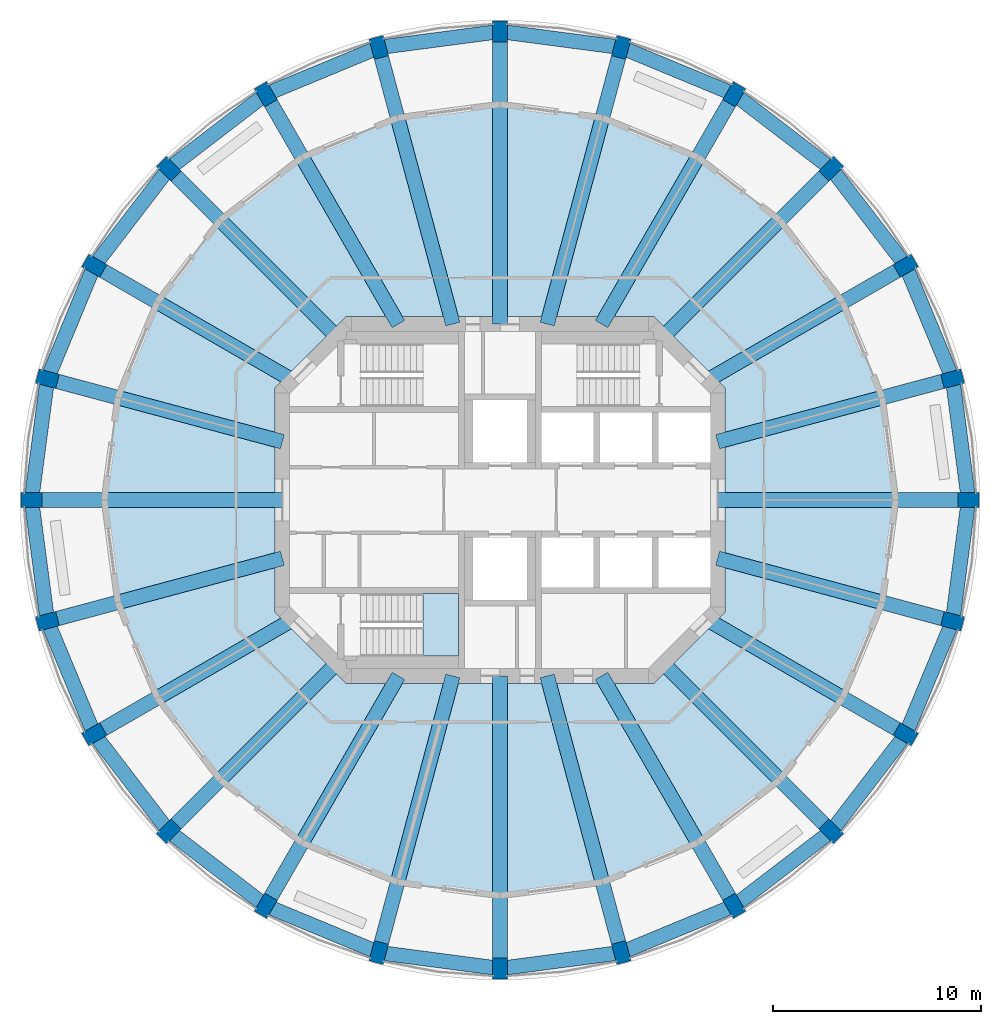
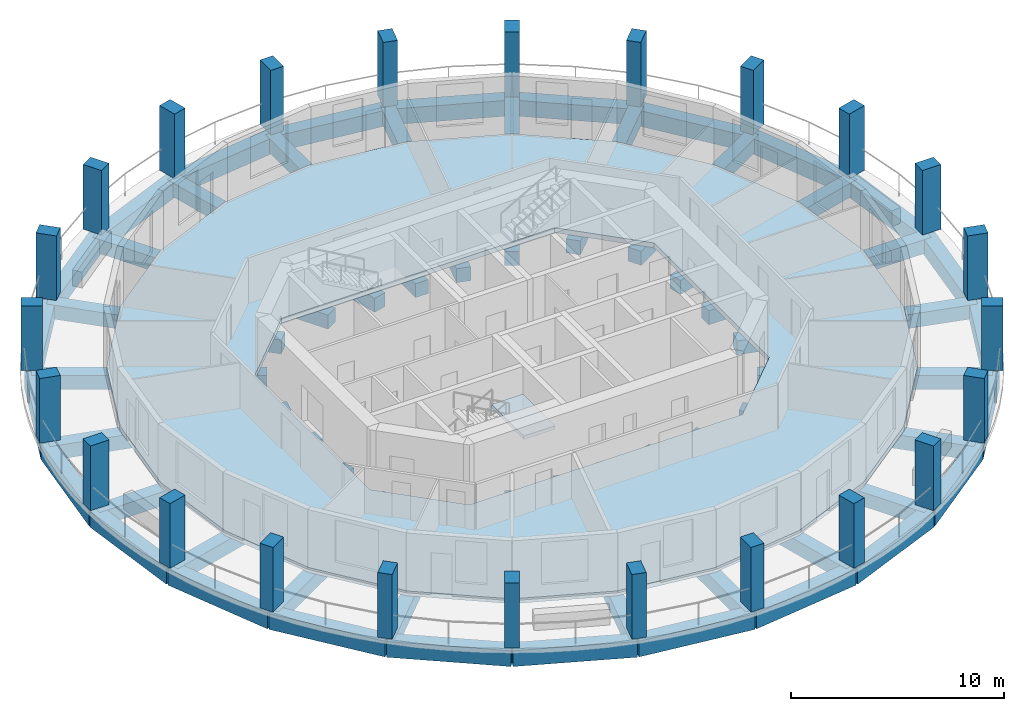
# One storey, part 1 of 9: 48 beams, 24 columns, 2 slabs, 1 element without a shape of its own.
"""IFC4 building model written with IfcOpenShell, lengths in metres."""

from ifc_helpers import new_model, si_unit, direction, frame, origin, origin_2d, place, context, subcontext, project, spatial, polyline, rectangle, outline, extrude, material, layer, layer_set, material_profile, profile_set, type_object, element, aggregate, save


model = new_model("IFC4")

# Units and contexts
model_context = context("Model", 3, precision=1e-05, world=origin(), true_north=direction((0.0, 1.0)))
body_context = subcontext(model_context, "Body", "Model", "MODEL_VIEW")
ifc_project = project(units=[si_unit("LENGTHUNIT", "METRE"), si_unit("AREAUNIT", "SQUARE_METRE"), si_unit("VOLUMEUNIT", "CUBIC_METRE"), si_unit("PLANEANGLEUNIT", "RADIAN"), si_unit("MASSUNIT", "GRAM", prefix="KILO")], contexts=[model_context])

# Site, building, storey
site_placement = place(None, origin())
site = spatial("IfcSite", under=ifc_project, at=site_placement, CompositionType="ELEMENT")
building_placement = place(site_placement, origin())
building = spatial("IfcBuilding", under=site, at=building_placement, Name="Torre Triforio", CompositionType="ELEMENT")
storey_placement = place(building_placement, frame((0.0, 0.0, 157.89990234375)))
storey = spatial("IfcBuildingStorey", under=building, at=storey_placement, Name="L35", CompositionType="ELEMENT", Elevation=157.89990234375)

# Columns
ifc_material_1 = material(Name="Concrete C50", Category="concrete")
ifc_material_profile_1 = material_profile(ifc_material_1, rectangle(XDim=0.699951171875, YDim=1.0, at=origin_2d()), Name="RC 700x1000")
ifc_profile_set_1 = profile_set([ifc_material_profile_1], Name="Concrete C50")
column_type = type_object("IfcColumnType", Name="Pier RC 700x1000 C50", PredefinedType="COLUMN", material=ifc_profile_set_1)
for number, where, z_axis, x_axis, name in (
    (1, (22.5, 0.0, 0.0), (0.0, 0.0, 1.0), (0.0, 1.0, 0.0), "COL.R.L35.00"),
    (2, (21.7333984375, 5.823486328125, 0.0), (0.0, 0.0, 1.0), (-0.258819045103, 0.965925826289, 0.0), "COL.R.L35.01"),
    (3, (19.485595703125, 11.25, 0.0), (0.0, 0.0, 1.0), (-0.5, 0.866025403784, 0.0), "COL.R.L35.02"),
    (4, (15.909912109375, 15.909912109375, 0.0), (0.0, 0.0, 1.0), (-0.707106781187, 0.707106781187, 0.0), "COL.R.L35.03"),
    (5, (11.25, 19.485595703125, 0.0), (0.0, 0.0, 1.0), (-0.866025403784, 0.5, 0.0), "COL.R.L35.04"),
    (6, (5.823486328125, 21.7333984375, 0.0), (0.0, 0.0, 1.0), (-0.965925826289, 0.258819045103, 0.0), "COL.R.L35.05"),
    (7, (0.0, 22.5, 0.0), (0.0, 0.0, 1.0), (-1.0, 0.0, 0.0), "COL.R.L35.06"),
    (8, (-5.823486328125, 21.7333984375, 0.0), (0.0, 0.0, 1.0), (-0.965925826289, -0.258819045103, 0.0), "COL.R.L35.07"),
    (9, (-11.25, 19.485595703125, 0.0), (0.0, 0.0, 1.0), (-0.866025403784, -0.5, 0.0), "COL.R.L35.08"),
    (10, (-15.909912109375, 15.909912109375, 0.0), (0.0, 0.0, 1.0), (-0.707106781187, -0.707106781187, 0.0), "COL.R.L35.09"),
    (11, (-19.485595703125, 11.25, 0.0), (0.0, 0.0, 1.0), (-0.5, -0.866025403784, 0.0), "COL.R.L35.10"),
    (12, (-21.7333984375, 5.823486328125, 0.0), (0.0, 0.0, 1.0), (-0.258819045103, -0.965925826289, 0.0), "COL.R.L35.11"),
    (13, (-22.5, 0.0, 0.0), (0.0, 0.0, 1.0), (0.0, -1.0, 0.0), "COL.R.L35.12"),
    (14, (-21.7333984375, -5.823486328125, 0.0), (0.0, 0.0, 1.0), (0.258819045103, -0.965925826289, 0.0), "COL.R.L35.13"),
    (15, (-19.485595703125, -11.25, 0.0), (0.0, 0.0, 1.0), (0.5, -0.866025403784, 0.0), "COL.R.L35.14"),
    (16, (-15.909912109375, -15.909912109375, 0.0), (0.0, 0.0, 1.0), (0.707106781187, -0.707106781187, 0.0), "COL.R.L35.15"),
    (17, (-11.25, -19.485595703125, 0.0), (0.0, 0.0, 1.0), (0.866025403784, -0.5, 0.0), "COL.R.L35.16"),
    (18, (-5.823486328125, -21.7333984375, 0.0), (0.0, 0.0, 1.0), (0.965925826289, -0.258819045103, 0.0), "COL.R.L35.17"),
    (19, (0.0, -22.5, 0.0), (0.0, 0.0, 1.0), (1.0, 0.0, 0.0), "COL.R.L35.18"),
    (20, (5.823486328125, -21.7333984375, 0.0), (0.0, 0.0, 1.0), (0.965925826289, 0.258819045103, 0.0), "COL.R.L35.19"),
    (21, (11.25, -19.485595703125, 0.0), (0.0, 0.0, 1.0), (0.866025403784, 0.5, 0.0), "COL.R.L35.20"),
    (22, (15.909912109375, -15.909912109375, 0.0), (0.0, 0.0, 1.0), (0.707106781187, 0.707106781187, 0.0), "COL.R.L35.21"),
    (23, (19.485595703125, -11.25, 0.0), (0.0, 0.0, 1.0), (0.5, 0.866025403784, 0.0), "COL.R.L35.22"),
    (24, (21.7333984375, -5.823486328125, 0.0), (0.0, 0.0, 1.0), (0.258819045103, 0.965925826289, 0.0), "COL.R.L35.23"),
):
    element("IfcColumn", number, at=place(storey_placement, frame(where, z_axis=z_axis, x_axis=x_axis)), inside=storey, type_object=column_type, Name=name, PredefinedType="COLUMN", context=body_context, shape_type="SweptSolid", body=[
        extrude(rectangle(XDim=0.699951171875, YDim=1.0, at=origin_2d()), origin(), (0.0, 0.0, 1.0), 3.7001953125),
    ])

# Beams
ifc_material_2 = material(Name="Concrete C40", Category="concrete")
ifc_material_profile_2 = material_profile(ifc_material_2, rectangle(XDim=0.699951171875, YDim=0.800048828125, at=origin_2d()), Name="RC 700x800")
ifc_profile_set_2 = profile_set([ifc_material_profile_2], Name="Concrete C40")
beam_type_1 = type_object("IfcBeamType", Name="Radial beam RC 700x800 C40", PredefinedType="BEAM", material=ifc_profile_set_2)
beam_1_placement = place(storey_placement, frame((10.449951171875, 0.0, -0.679931640625), z_axis=(1.0, 0.0, 0.0), x_axis=(0.0, 1.0, 0.0)))
element("IfcBeam", 25, at=beam_1_placement, inside=storey, type_object=beam_type_1, Name="BM.R.L35.00", PredefinedType="BEAM", context=body_context, shape_type="SweptSolid", body=[
    extrude(rectangle(XDim=0.699951171875, YDim=0.800048828125, at=origin_2d()), origin(), (0.0, 0.0, 1.0), 12.050048828125),
])
beam_2_placement = place(storey_placement, frame((10.449951171875, 2.800048828125, -0.679931640625), z_axis=(0.965924822187, 0.258822792435, 0.0), x_axis=(-0.258822792435, 0.965924822187, 0.0)))
element("IfcBeam", 26, at=beam_2_placement, inside=storey, type_object=beam_type_1, Name="BM.R.L35.01", PredefinedType="BEAM", context=body_context, shape_type="SweptSolid", body=[
    extrude(rectangle(XDim=0.699951171875, YDim=0.800048828125, at=origin_2d()), origin(), (0.0, 0.0, 1.0), 11.681396484375),
])
beam_3_placement = place(storey_placement, frame((9.9501953125, 5.744873046875, -0.679931640625), z_axis=(0.866030871389, 0.499990529712, 0.0), x_axis=(-0.499990529712, 0.866030871389, 0.0)))
element("IfcBeam", 27, at=beam_3_placement, inside=storey, type_object=beam_type_1, Name="BM.R.L35.02", PredefinedType="BEAM", context=body_context, shape_type="SweptSolid", body=[
    extrude(rectangle(XDim=0.699951171875, YDim=0.800048828125, at=origin_2d()), origin(), (0.0, 0.0, 1.0), 11.010498046875),
])
beam_4_placement = place(storey_placement, frame((7.847412109375, 7.847412109375, -0.679931640625), z_axis=(0.707106781187, 0.707106781187, 0.0), x_axis=(-0.707106781187, 0.707106781187, 0.0)))
element("IfcBeam", 28, at=beam_4_placement, inside=storey, type_object=beam_type_1, Name="BM.R.L35.03", PredefinedType="BEAM", context=body_context, shape_type="SweptSolid", body=[
    extrude(rectangle(XDim=0.699951171875, YDim=0.800048828125, at=origin_2d()), origin(), (0.0, 0.0, 1.0), 11.402099609375),
])
beam_5_placement = place(storey_placement, frame((4.878662109375, 8.449951171875, -0.679931640625), z_axis=(0.499994440966, 0.866028613271, 0.0), x_axis=(-0.866028613271, 0.499994440966, 0.0)))
element("IfcBeam", 29, at=beam_5_placement, inside=storey, type_object=beam_type_1, Name="BM.R.L35.04", PredefinedType="BEAM", context=body_context, shape_type="SweptSolid", body=[
    extrude(rectangle(XDim=0.699951171875, YDim=0.800048828125, at=origin_2d()), origin(), (0.0, 0.0, 1.0), 12.742919921875),
])
beam_6_placement = place(storey_placement, frame((2.26416015625, 8.449951171875, -0.679931640625), z_axis=(0.258821569245, 0.965925149944, 0.0), x_axis=(-0.965925149944, 0.258821569245, 0.0)))
element("IfcBeam", 30, at=beam_6_placement, inside=storey, type_object=beam_type_1, Name="BM.R.L35.05", PredefinedType="BEAM", context=body_context, shape_type="SweptSolid", body=[
    extrude(rectangle(XDim=0.699951171875, YDim=0.800048828125, at=origin_2d()), origin(), (0.0, 0.0, 1.0), 13.751953125),
])
beam_7_placement = place(storey_placement, frame((0.0, 8.449951171875, -0.679931640625), z_axis=(0.0, 1.0, 0.0), x_axis=(-1.0, 0.0, 0.0)))
element("IfcBeam", 31, at=beam_7_placement, inside=storey, type_object=beam_type_1, Name="BM.R.L35.06", PredefinedType="BEAM", context=body_context, shape_type="SweptSolid", body=[
    extrude(rectangle(XDim=0.699951171875, YDim=0.800048828125, at=origin_2d()), origin(), (0.0, 0.0, 1.0), 14.050048828125),
])
beam_8_placement = place(storey_placement, frame((-2.26416015625, 8.449951171875, -0.679931640625), z_axis=(-0.258821569245, 0.965925149944, 0.0), x_axis=(-0.965925149944, -0.258821569245, 0.0)))
element("IfcBeam", 32, at=beam_8_placement, inside=storey, type_object=beam_type_1, Name="BM.R.L35.07", PredefinedType="BEAM", context=body_context, shape_type="SweptSolid", body=[
    extrude(rectangle(XDim=0.699951171875, YDim=0.800048828125, at=origin_2d()), origin(), (0.0, 0.0, 1.0), 13.751953125),
])
beam_9_placement = place(storey_placement, frame((-4.878662109375, 8.449951171875, -0.679931640625), z_axis=(-0.499994440966, 0.866028613271, 0.0), x_axis=(-0.866028613271, -0.499994440966, 0.0)))
element("IfcBeam", 33, at=beam_9_placement, inside=storey, type_object=beam_type_1, Name="BM.R.L35.08", PredefinedType="BEAM", context=body_context, shape_type="SweptSolid", body=[
    extrude(rectangle(XDim=0.699951171875, YDim=0.800048828125, at=origin_2d()), origin(), (0.0, 0.0, 1.0), 12.742919921875),
])
beam_10_placement = place(storey_placement, frame((-7.847412109375, 7.847412109375, -0.679931640625), z_axis=(-0.707106781187, 0.707106781187, 0.0), x_axis=(-0.707106781187, -0.707106781187, 0.0)))
element("IfcBeam", 34, at=beam_10_placement, inside=storey, type_object=beam_type_1, Name="BM.R.L35.09", PredefinedType="BEAM", context=body_context, shape_type="SweptSolid", body=[
    extrude(rectangle(XDim=0.699951171875, YDim=0.800048828125, at=origin_2d()), origin(), (0.0, 0.0, 1.0), 11.402099609375),
])
beam_11_placement = place(storey_placement, frame((-9.9501953125, 5.744873046875, -0.679931640625), z_axis=(-0.866030871389, 0.499990529712, 0.0), x_axis=(-0.499990529712, -0.866030871389, 0.0)))
element("IfcBeam", 35, at=beam_11_placement, inside=storey, type_object=beam_type_1, Name="BM.R.L35.10", PredefinedType="BEAM", context=body_context, shape_type="SweptSolid", body=[
    extrude(rectangle(XDim=0.699951171875, YDim=0.800048828125, at=origin_2d()), origin(), (0.0, 0.0, 1.0), 11.010498046875),
])
beam_12_placement = place(storey_placement, frame((-10.449951171875, 2.800048828125, -0.679931640625), z_axis=(-0.965924822187, 0.258822792435, 0.0), x_axis=(-0.258822792435, -0.965924822187, 0.0)))
element("IfcBeam", 36, at=beam_12_placement, inside=storey, type_object=beam_type_1, Name="BM.R.L35.11", PredefinedType="BEAM", context=body_context, shape_type="SweptSolid", body=[
    extrude(rectangle(XDim=0.699951171875, YDim=0.800048828125, at=origin_2d()), origin(), (0.0, 0.0, 1.0), 11.681396484375),
])
beam_13_placement = place(storey_placement, frame((-10.449951171875, 0.0, -0.679931640625), z_axis=(-1.0, 0.0, 0.0), x_axis=(0.0, -1.0, 0.0)))
element("IfcBeam", 37, at=beam_13_placement, inside=storey, type_object=beam_type_1, Name="BM.R.L35.12", PredefinedType="BEAM", context=body_context, shape_type="SweptSolid", body=[
    extrude(rectangle(XDim=0.699951171875, YDim=0.800048828125, at=origin_2d()), origin(), (0.0, 0.0, 1.0), 12.050048828125),
])
beam_14_placement = place(storey_placement, frame((-10.449951171875, -2.800048828125, -0.679931640625), z_axis=(-0.965924822187, -0.258822792435, 0.0), x_axis=(0.258822792435, -0.965924822187, 0.0)))
element("IfcBeam", 38, at=beam_14_placement, inside=storey, type_object=beam_type_1, Name="BM.R.L35.13", PredefinedType="BEAM", context=body_context, shape_type="SweptSolid", body=[
    extrude(rectangle(XDim=0.699951171875, YDim=0.800048828125, at=origin_2d()), origin(), (0.0, 0.0, 1.0), 11.681396484375),
])
beam_15_placement = place(storey_placement, frame((-9.9501953125, -5.744873046875, -0.679931640625), z_axis=(-0.866030871389, -0.499990529712, 0.0), x_axis=(0.499990529712, -0.866030871389, 0.0)))
element("IfcBeam", 39, at=beam_15_placement, inside=storey, type_object=beam_type_1, Name="BM.R.L35.14", PredefinedType="BEAM", context=body_context, shape_type="SweptSolid", body=[
    extrude(rectangle(XDim=0.699951171875, YDim=0.800048828125, at=origin_2d()), origin(), (0.0, 0.0, 1.0), 11.010498046875),
])
beam_16_placement = place(storey_placement, frame((-7.847412109375, -7.847412109375, -0.679931640625), z_axis=(-0.707106781187, -0.707106781187, 0.0), x_axis=(0.707106781187, -0.707106781187, 0.0)))
element("IfcBeam", 40, at=beam_16_placement, inside=storey, type_object=beam_type_1, Name="BM.R.L35.15", PredefinedType="BEAM", context=body_context, shape_type="SweptSolid", body=[
    extrude(rectangle(XDim=0.699951171875, YDim=0.800048828125, at=origin_2d()), origin(), (0.0, 0.0, 1.0), 11.402099609375),
])
beam_17_placement = place(storey_placement, frame((-4.878662109375, -8.449951171875, -0.679931640625), z_axis=(-0.499994440966, -0.866028613271, 0.0), x_axis=(0.866028613271, -0.499994440966, 0.0)))
element("IfcBeam", 41, at=beam_17_placement, inside=storey, type_object=beam_type_1, Name="BM.R.L35.16", PredefinedType="BEAM", context=body_context, shape_type="SweptSolid", body=[
    extrude(rectangle(XDim=0.699951171875, YDim=0.800048828125, at=origin_2d()), origin(), (0.0, 0.0, 1.0), 12.742919921875),
])
beam_18_placement = place(storey_placement, frame((-2.26416015625, -8.449951171875, -0.679931640625), z_axis=(-0.258821569245, -0.965925149944, 0.0), x_axis=(0.965925149944, -0.258821569245, 0.0)))
element("IfcBeam", 42, at=beam_18_placement, inside=storey, type_object=beam_type_1, Name="BM.R.L35.17", PredefinedType="BEAM", context=body_context, shape_type="SweptSolid", body=[
    extrude(rectangle(XDim=0.699951171875, YDim=0.800048828125, at=origin_2d()), origin(), (0.0, 0.0, 1.0), 13.751953125),
])
beam_19_placement = place(storey_placement, frame((0.0, -8.449951171875, -0.679931640625), z_axis=(0.0, -1.0, 0.0), x_axis=(1.0, 0.0, 0.0)))
element("IfcBeam", 43, at=beam_19_placement, inside=storey, type_object=beam_type_1, Name="BM.R.L35.18", PredefinedType="BEAM", context=body_context, shape_type="SweptSolid", body=[
    extrude(rectangle(XDim=0.699951171875, YDim=0.800048828125, at=origin_2d()), origin(), (0.0, 0.0, 1.0), 14.050048828125),
])
beam_20_placement = place(storey_placement, frame((2.26416015625, -8.449951171875, -0.679931640625), z_axis=(0.258821569245, -0.965925149944, 0.0), x_axis=(0.965925149944, 0.258821569245, 0.0)))
element("IfcBeam", 44, at=beam_20_placement, inside=storey, type_object=beam_type_1, Name="BM.R.L35.19", PredefinedType="BEAM", context=body_context, shape_type="SweptSolid", body=[
    extrude(rectangle(XDim=0.699951171875, YDim=0.800048828125, at=origin_2d()), origin(), (0.0, 0.0, 1.0), 13.751953125),
])
beam_21_placement = place(storey_placement, frame((4.878662109375, -8.449951171875, -0.679931640625), z_axis=(0.499994440966, -0.866028613271, 0.0), x_axis=(0.866028613271, 0.499994440966, 0.0)))
element("IfcBeam", 45, at=beam_21_placement, inside=storey, type_object=beam_type_1, Name="BM.R.L35.20", PredefinedType="BEAM", context=body_context, shape_type="SweptSolid", body=[
    extrude(rectangle(XDim=0.699951171875, YDim=0.800048828125, at=origin_2d()), origin(), (0.0, 0.0, 1.0), 12.742919921875),
])
beam_22_placement = place(storey_placement, frame((7.847412109375, -7.847412109375, -0.679931640625), z_axis=(0.707106781187, -0.707106781187, 0.0), x_axis=(0.707106781187, 0.707106781187, 0.0)))
element("IfcBeam", 46, at=beam_22_placement, inside=storey, type_object=beam_type_1, Name="BM.R.L35.21", PredefinedType="BEAM", context=body_context, shape_type="SweptSolid", body=[
    extrude(rectangle(XDim=0.699951171875, YDim=0.800048828125, at=origin_2d()), origin(), (0.0, 0.0, 1.0), 11.402099609375),
])
beam_23_placement = place(storey_placement, frame((9.9501953125, -5.744873046875, -0.679931640625), z_axis=(0.866030871389, -0.499990529712, 0.0), x_axis=(0.499990529712, 0.866030871389, 0.0)))
element("IfcBeam", 47, at=beam_23_placement, inside=storey, type_object=beam_type_1, Name="BM.R.L35.22", PredefinedType="BEAM", context=body_context, shape_type="SweptSolid", body=[
    extrude(rectangle(XDim=0.699951171875, YDim=0.800048828125, at=origin_2d()), origin(), (0.0, 0.0, 1.0), 11.010498046875),
])
beam_24_placement = place(storey_placement, frame((10.449951171875, -2.800048828125, -0.679931640625), z_axis=(0.965924822187, -0.258822792435, 0.0), x_axis=(0.258822792435, 0.965924822187, 0.0)))
element("IfcBeam", 48, at=beam_24_placement, inside=storey, type_object=beam_type_1, Name="BM.R.L35.23", PredefinedType="BEAM", context=body_context, shape_type="SweptSolid", body=[
    extrude(rectangle(XDim=0.699951171875, YDim=0.800048828125, at=origin_2d()), origin(), (0.0, 0.0, 1.0), 11.681396484375),
])
ifc_material_profile_3 = material_profile(ifc_material_2, rectangle(XDim=0.699951171875, YDim=0.89990234375, at=origin_2d()), Name="RC 700x900")
ifc_profile_set_3 = profile_set([ifc_material_profile_3], Name="Concrete C40")
beam_type_2 = type_object("IfcBeamType", Name="Spandrel beam RC 700x900 C40", PredefinedType="SPANDREL", material=ifc_profile_set_3)
beam_25_placement = place(storey_placement, frame((22.5, 0.0, -0.72998046875), z_axis=(-0.13051364818, 0.991446512747, 0.0), x_axis=(-0.991446512747, -0.13051364818, 0.0)))
element("IfcBeam", 49, at=beam_25_placement, inside=storey, type_object=beam_type_2, Name="BM.S.L35.00", PredefinedType="SPANDREL", context=body_context, shape_type="SweptSolid", body=[
    extrude(rectangle(XDim=0.699951171875, YDim=0.89990234375, at=origin_2d()), origin(), (0.0, 0.0, 1.0), 5.873779296875),
])
beam_26_placement = place(storey_placement, frame((21.7333984375, 5.823486328125, -0.72998046875), z_axis=(-0.382693194178, 0.923875488976, 0.0), x_axis=(-0.923875488976, -0.382693194178, 0.0)))
element("IfcBeam", 50, at=beam_26_placement, inside=storey, type_object=beam_type_2, Name="BM.S.L35.01", PredefinedType="SPANDREL", context=body_context, shape_type="SweptSolid", body=[
    extrude(rectangle(XDim=0.699951171875, YDim=0.89990234375, at=origin_2d()), origin(), (0.0, 0.0, 1.0), 5.87353515625),
])
for number, where, z_axis, x_axis, name in (
    (51, (19.485595703125, 11.25, -0.72998046875), (-0.608762208108, 0.793352742466, 0.0), (-0.793352742466, -0.608762208108, 0.0), "BM.S.L35.02"),
    (52, (15.909912109375, 15.909912109375, -0.72998046875), (-0.793352742466, 0.608762208108, 0.0), (-0.608762208108, -0.793352742466, 0.0), "BM.S.L35.03"),
):
    element("IfcBeam", number, at=place(storey_placement, frame(where, z_axis=z_axis, x_axis=x_axis)), inside=storey, type_object=beam_type_2, Name=name, PredefinedType="SPANDREL", context=body_context, shape_type="SweptSolid", body=[
        extrude(rectangle(XDim=0.699951171875, YDim=0.89990234375, at=origin_2d()), origin(), (0.0, 0.0, 1.0), 5.873779296875),
    ])
beam_27_placement = place(storey_placement, frame((11.25, 19.485595703125, -0.72998046875), z_axis=(-0.923875488976, 0.382693194178, 0.0), x_axis=(-0.382693194178, -0.923875488976, 0.0)))
element("IfcBeam", 53, at=beam_27_placement, inside=storey, type_object=beam_type_2, Name="BM.S.L35.04", PredefinedType="SPANDREL", context=body_context, shape_type="SweptSolid", body=[
    extrude(rectangle(XDim=0.699951171875, YDim=0.89990234375, at=origin_2d()), origin(), (0.0, 0.0, 1.0), 5.87353515625),
])
for number, where, z_axis, x_axis, name in (
    (54, (5.823486328125, 21.7333984375, -0.72998046875), (-0.991446512747, 0.13051364818, 0.0), (-0.13051364818, -0.991446512747, 0.0), "BM.S.L35.05"),
    (55, (0.0, 22.5, -0.72998046875), (-0.991446512747, -0.13051364818, 0.0), (0.13051364818, -0.991446512747, 0.0), "BM.S.L35.06"),
):
    element("IfcBeam", number, at=place(storey_placement, frame(where, z_axis=z_axis, x_axis=x_axis)), inside=storey, type_object=beam_type_2, Name=name, PredefinedType="SPANDREL", context=body_context, shape_type="SweptSolid", body=[
        extrude(rectangle(XDim=0.699951171875, YDim=0.89990234375, at=origin_2d()), origin(), (0.0, 0.0, 1.0), 5.873779296875),
    ])
beam_28_placement = place(storey_placement, frame((-5.823486328125, 21.7333984375, -0.72998046875), z_axis=(-0.923875488976, -0.382693194178, 0.0), x_axis=(0.382693194178, -0.923875488976, 0.0)))
element("IfcBeam", 56, at=beam_28_placement, inside=storey, type_object=beam_type_2, Name="BM.S.L35.07", PredefinedType="SPANDREL", context=body_context, shape_type="SweptSolid", body=[
    extrude(rectangle(XDim=0.699951171875, YDim=0.89990234375, at=origin_2d()), origin(), (0.0, 0.0, 1.0), 5.87353515625),
])
for number, where, z_axis, x_axis, name in (
    (57, (-11.25, 19.485595703125, -0.72998046875), (-0.793352742466, -0.608762208108, 0.0), (0.608762208108, -0.793352742466, 0.0), "BM.S.L35.08"),
    (58, (-15.909912109375, 15.909912109375, -0.72998046875), (-0.608762208108, -0.793352742466, 0.0), (0.793352742466, -0.608762208108, 0.0), "BM.S.L35.09"),
):
    element("IfcBeam", number, at=place(storey_placement, frame(where, z_axis=z_axis, x_axis=x_axis)), inside=storey, type_object=beam_type_2, Name=name, PredefinedType="SPANDREL", context=body_context, shape_type="SweptSolid", body=[
        extrude(rectangle(XDim=0.699951171875, YDim=0.89990234375, at=origin_2d()), origin(), (0.0, 0.0, 1.0), 5.873779296875),
    ])
beam_29_placement = place(storey_placement, frame((-19.485595703125, 11.25, -0.72998046875), z_axis=(-0.382693194178, -0.923875488976, 0.0), x_axis=(0.923875488976, -0.382693194178, 0.0)))
element("IfcBeam", 59, at=beam_29_placement, inside=storey, type_object=beam_type_2, Name="BM.S.L35.10", PredefinedType="SPANDREL", context=body_context, shape_type="SweptSolid", body=[
    extrude(rectangle(XDim=0.699951171875, YDim=0.89990234375, at=origin_2d()), origin(), (0.0, 0.0, 1.0), 5.87353515625),
])
for number, where, z_axis, x_axis, name in (
    (60, (-21.7333984375, 5.823486328125, -0.72998046875), (-0.13051364818, -0.991446512747, 0.0), (0.991446512747, -0.13051364818, 0.0), "BM.S.L35.11"),
    (61, (-22.5, 0.0, -0.72998046875), (0.13051364818, -0.991446512747, 0.0), (0.991446512747, 0.13051364818, 0.0), "BM.S.L35.12"),
):
    element("IfcBeam", number, at=place(storey_placement, frame(where, z_axis=z_axis, x_axis=x_axis)), inside=storey, type_object=beam_type_2, Name=name, PredefinedType="SPANDREL", context=body_context, shape_type="SweptSolid", body=[
        extrude(rectangle(XDim=0.699951171875, YDim=0.89990234375, at=origin_2d()), origin(), (0.0, 0.0, 1.0), 5.873779296875),
    ])
beam_30_placement = place(storey_placement, frame((-21.7333984375, -5.823486328125, -0.72998046875), z_axis=(0.382693194178, -0.923875488976, 0.0), x_axis=(0.923875488976, 0.382693194178, 0.0)))
element("IfcBeam", 62, at=beam_30_placement, inside=storey, type_object=beam_type_2, Name="BM.S.L35.13", PredefinedType="SPANDREL", context=body_context, shape_type="SweptSolid", body=[
    extrude(rectangle(XDim=0.699951171875, YDim=0.89990234375, at=origin_2d()), origin(), (0.0, 0.0, 1.0), 5.87353515625),
])
for number, where, z_axis, x_axis, name in (
    (63, (-19.485595703125, -11.25, -0.72998046875), (0.608762208108, -0.793352742466, 0.0), (0.793352742466, 0.608762208108, 0.0), "BM.S.L35.14"),
    (64, (-15.909912109375, -15.909912109375, -0.72998046875), (0.793352742466, -0.608762208108, 0.0), (0.608762208108, 0.793352742466, 0.0), "BM.S.L35.15"),
):
    element("IfcBeam", number, at=place(storey_placement, frame(where, z_axis=z_axis, x_axis=x_axis)), inside=storey, type_object=beam_type_2, Name=name, PredefinedType="SPANDREL", context=body_context, shape_type="SweptSolid", body=[
        extrude(rectangle(XDim=0.699951171875, YDim=0.89990234375, at=origin_2d()), origin(), (0.0, 0.0, 1.0), 5.873779296875),
    ])
beam_31_placement = place(storey_placement, frame((-11.25, -19.485595703125, -0.72998046875), z_axis=(0.923875488976, -0.382693194178, 0.0), x_axis=(0.382693194178, 0.923875488976, 0.0)))
element("IfcBeam", 65, at=beam_31_placement, inside=storey, type_object=beam_type_2, Name="BM.S.L35.16", PredefinedType="SPANDREL", context=body_context, shape_type="SweptSolid", body=[
    extrude(rectangle(XDim=0.699951171875, YDim=0.89990234375, at=origin_2d()), origin(), (0.0, 0.0, 1.0), 5.87353515625),
])
for number, where, z_axis, x_axis, name in (
    (66, (-5.823486328125, -21.7333984375, -0.72998046875), (0.991446512747, -0.13051364818, 0.0), (0.13051364818, 0.991446512747, 0.0), "BM.S.L35.17"),
    (67, (0.0, -22.5, -0.72998046875), (0.991446512747, 0.13051364818, 0.0), (-0.13051364818, 0.991446512747, 0.0), "BM.S.L35.18"),
):
    element("IfcBeam", number, at=place(storey_placement, frame(where, z_axis=z_axis, x_axis=x_axis)), inside=storey, type_object=beam_type_2, Name=name, PredefinedType="SPANDREL", context=body_context, shape_type="SweptSolid", body=[
        extrude(rectangle(XDim=0.699951171875, YDim=0.89990234375, at=origin_2d()), origin(), (0.0, 0.0, 1.0), 5.873779296875),
    ])
beam_32_placement = place(storey_placement, frame((5.823486328125, -21.7333984375, -0.72998046875), z_axis=(0.923875488976, 0.382693194178, 0.0), x_axis=(-0.382693194178, 0.923875488976, 0.0)))
element("IfcBeam", 68, at=beam_32_placement, inside=storey, type_object=beam_type_2, Name="BM.S.L35.19", PredefinedType="SPANDREL", context=body_context, shape_type="SweptSolid", body=[
    extrude(rectangle(XDim=0.699951171875, YDim=0.89990234375, at=origin_2d()), origin(), (0.0, 0.0, 1.0), 5.87353515625),
])
for number, where, z_axis, x_axis, name in (
    (69, (11.25, -19.485595703125, -0.72998046875), (0.793352742466, 0.608762208108, 0.0), (-0.608762208108, 0.793352742466, 0.0), "BM.S.L35.20"),
    (70, (15.909912109375, -15.909912109375, -0.72998046875), (0.608762208108, 0.793352742466, 0.0), (-0.793352742466, 0.608762208108, 0.0), "BM.S.L35.21"),
):
    element("IfcBeam", number, at=place(storey_placement, frame(where, z_axis=z_axis, x_axis=x_axis)), inside=storey, type_object=beam_type_2, Name=name, PredefinedType="SPANDREL", context=body_context, shape_type="SweptSolid", body=[
        extrude(rectangle(XDim=0.699951171875, YDim=0.89990234375, at=origin_2d()), origin(), (0.0, 0.0, 1.0), 5.873779296875),
    ])
beam_33_placement = place(storey_placement, frame((19.485595703125, -11.25, -0.72998046875), z_axis=(0.382693194178, 0.923875488976, 0.0), x_axis=(-0.923875488976, 0.382693194178, 0.0)))
element("IfcBeam", 71, at=beam_33_placement, inside=storey, type_object=beam_type_2, Name="BM.S.L35.22", PredefinedType="SPANDREL", context=body_context, shape_type="SweptSolid", body=[
    extrude(rectangle(XDim=0.699951171875, YDim=0.89990234375, at=origin_2d()), origin(), (0.0, 0.0, 1.0), 5.87353515625),
])
beam_34_placement = place(storey_placement, frame((21.7333984375, -5.823486328125, -0.72998046875), z_axis=(0.13051364818, 0.991446512747, 0.0), x_axis=(-0.991446512747, 0.13051364818, 0.0)))
element("IfcBeam", 72, at=beam_34_placement, inside=storey, type_object=beam_type_2, Name="BM.S.L35.23", PredefinedType="SPANDREL", context=body_context, shape_type="SweptSolid", body=[
    extrude(rectangle(XDim=0.699951171875, YDim=0.89990234375, at=origin_2d()), origin(), (0.0, 0.0, 1.0), 5.873779296875),
])

# Slab
ifc_layer_1 = layer(ifc_material_2, 0.280029296875)
ifc_layer_set_1 = layer_set([ifc_layer_1], Name="Concrete C40")
slab_type_1 = type_object("IfcSlabType", Name="Floor slab 280 C40", PredefinedType="FLOOR", material=ifc_layer_set_1)
slab_1_placement = place(storey_placement, frame((0.0, 0.0, -0.27978515625)))
element("IfcSlab", 73, at=slab_1_placement, inside=storey, type_object=slab_type_1, Name="SL.L35", PredefinedType="FLOOR", context=body_context, shape_type="SweptSolid", body=[
    extrude(outline(polyline([(16.45458984375, -9.5), (18.3525390625, -4.91748046875), (19.0, 0.0), (18.3525390625, 4.91748046875), (16.45458984375, 9.5), (13.43505859375, 13.43505859375), (9.5, 16.45458984375), (4.91748046875, 18.3525390625), (0.0, 19.0), (-4.91748046875, 18.3525390625), (-9.5, 16.45458984375), (-13.43505859375, 13.43505859375), (-16.45458984375, 9.5), (-18.3525390625, 4.91748046875), (-19.0, 0.0), (-18.3525390625, -4.91748046875), (-16.45458984375, -9.5), (-13.43505859375, -13.43505859375), (-9.5, -16.45458984375), (-4.91748046875, -18.3525390625), (0.0, -19.0), (4.91748046875, -18.3525390625), (9.5, -16.45458984375), (13.43505859375, -13.43505859375), (16.45458984375, -9.5)]), holes=[polyline([(10.800048828125, 5.389892578125), (10.800048828125, -5.389892578125), (7.389892578125, -8.800048828125), (-7.389892578125, -8.800048828125), (-10.800048828125, -5.389892578125), (-10.800048828125, 5.389892578125), (-7.389892578125, 8.800048828125), (7.389892578125, 8.800048828125), (10.800048828125, 5.389892578125)])]), origin(), (0.0, 0.0, 1.0), 0.27978515625),
])

# Stair, slab
stair_type = type_object("IfcStairType", Name="STAIR HALF-TURN", PredefinedType="HALF_TURN_STAIR", material=ifc_material_2)
stair_placement = place(storey_placement, origin())
stair = element("IfcStair", 74, at=stair_placement, inside=storey, type_object=stair_type, Name="Exit stair 3", PredefinedType="HALF_TURN_STAIR")
ifc_layer_2 = layer(ifc_material_2, 0.199951171875)
ifc_layer_set_2 = layer_set([ifc_layer_2], Name="Concrete C40")
slab_type_2 = type_object("IfcSlabType", Name="STAIR LANDING 200", PredefinedType="LANDING", material=ifc_layer_set_2)
slab_2_placement = place(storey_placement, frame((0.0, 0.0, 1.650146484375)))
slab_2 = element("IfcSlab", 75, at=slab_2_placement, type_object=slab_type_2, Name="ST3 landing 1", PredefinedType="LANDING", context=body_context, shape_type="SweptSolid", body=[
    extrude(outline(polyline([(-2.0, -7.5), (-2.0, -4.5), (-3.699951171875, -4.5), (-3.699951171875, -7.5), (-2.0, -7.5)])), origin(), (0.0, 0.0, 1.0), 0.199951171875),
])
aggregate(stair, [slab_2])

save(model, "model.ifc")
